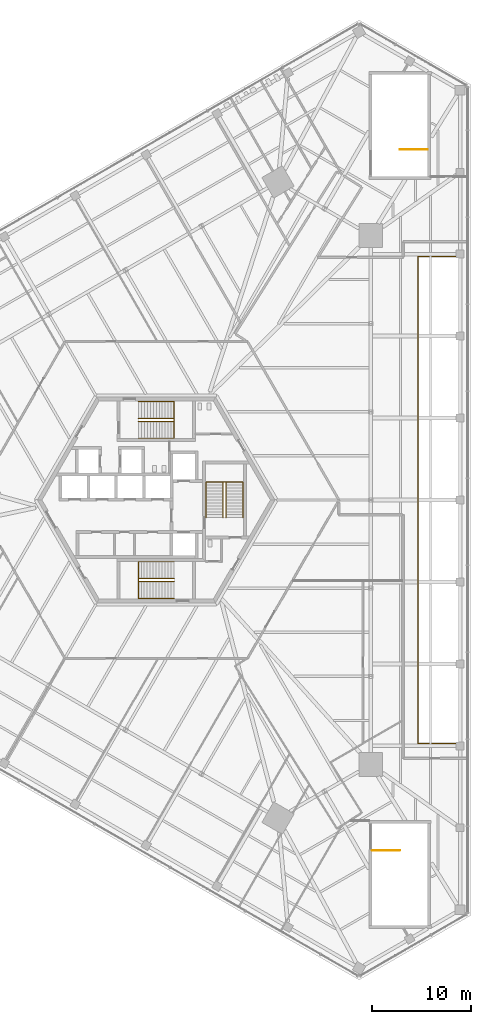
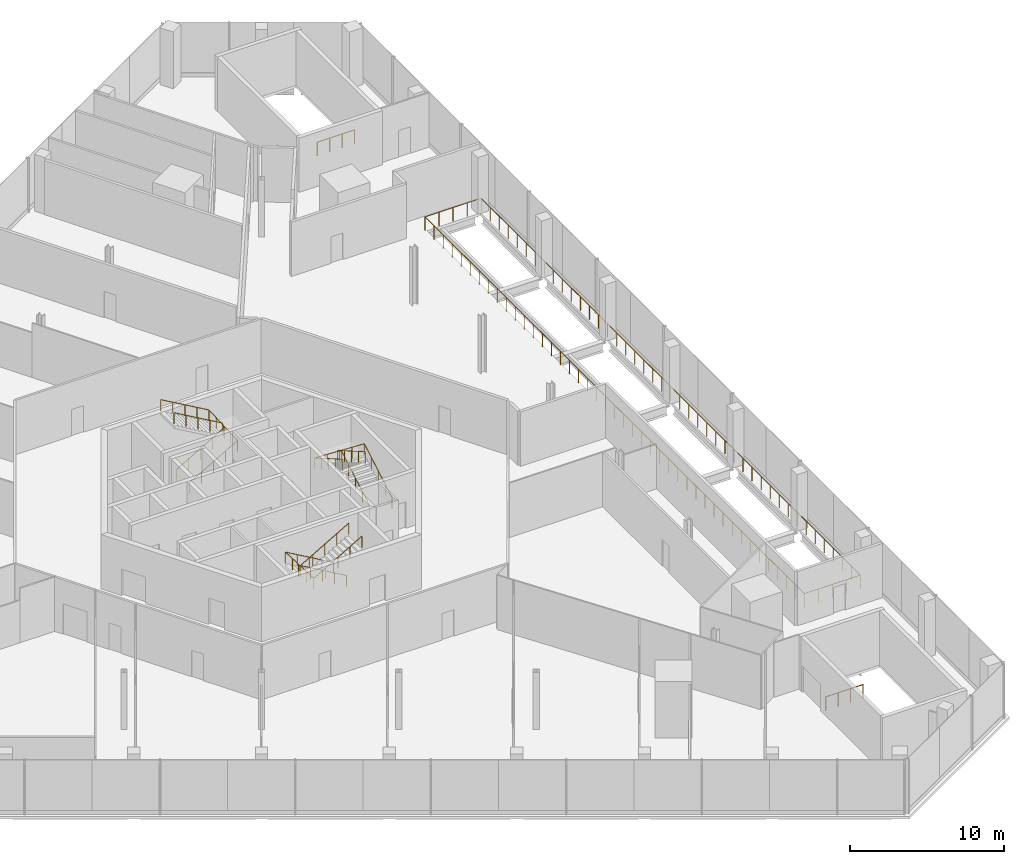
# One storey, part 24 of 25: 9 railings.
"""IFC4 building model written with IfcOpenShell, lengths in metres."""

from ifc_helpers import new_model, si_unit, direction, frame, origin, origin_2d, place, context, subcontext, project, spatial, circle, extrude, source, transform, mapped, material, type_object, element, save


model = new_model("IFC4")

# Units and contexts
model_context = context("Model", 3, precision=1e-05, world=origin(), true_north=direction((0.0, 1.0)))
body_context = subcontext(model_context, "Body", "Model", "MODEL_VIEW")
ifc_project = project(units=[si_unit("LENGTHUNIT", "METRE"), si_unit("AREAUNIT", "SQUARE_METRE"), si_unit("VOLUMEUNIT", "CUBIC_METRE"), si_unit("PLANEANGLEUNIT", "RADIAN"), si_unit("MASSUNIT", "GRAM", prefix="KILO")], contexts=[model_context])

# Site, building, storey
site_placement = place(None, origin())
site = spatial("IfcSite", under=ifc_project, at=site_placement, CompositionType="ELEMENT")
building_placement = place(site_placement, origin())
building = spatial("IfcBuilding", under=site, at=building_placement, Name="Triune Harvest Tower", CompositionType="ELEMENT")
storey_placement = place(building_placement, frame((0.0, 0.0, 11.5)))
storey = spatial("IfcBuildingStorey", under=building, at=storey_placement, Name="L02", CompositionType="ELEMENT", Elevation=11.5)

# Railings
ifc_material_1 = material(Name="Stainless steel AISI 316", Category="steel")
railing_type_1 = type_object("IfcRailingType", Name="Stair well guard 1100", PredefinedType="GUARDRAIL", material=ifc_material_1)
railing_1_placement = place(storey_placement, frame((27.419921875, 35.39990234375, 0.0)))
element("IfcRailing", 1, at=railing_1_placement, inside=storey, type_object=railing_type_1, Name="Podium exit stair north well guard", PredefinedType="GUARDRAIL", context=body_context, shape_type="SweptSolid", body=[
    extrude(circle(Radius=0.02392578125, at=origin_2d()), frame((0.0, 0.0, 1.076171875), z_axis=(-1.0, 0.0, 0.0), x_axis=(0.0, -1.0, 0.0)), (0.0, 0.0, 1.0), 2.7998046875),
    extrude(circle(Radius=0.02099609375, at=origin_2d()), origin(), (0.0, 0.0, 1.0), 1.052001953125),
    extrude(circle(Radius=0.02099609375, at=origin_2d()), frame((-0.933349609375, 0.0, 0.0)), (0.0, 0.0, 1.0), 1.052001953125),
    extrude(circle(Radius=0.02099609375, at=origin_2d()), frame((-1.866455078125, 0.0, 0.0)), (0.0, 0.0, 1.0), 1.052001953125),
    extrude(circle(Radius=0.02099609375, at=origin_2d()), frame((-2.7998046875, 0.0, 0.0)), (0.0, 0.0, 1.0), 1.052001953125),
])
railing_2_placement = place(storey_placement, frame((21.820068359375, -35.39990234375, 0.0)))
element("IfcRailing", 2, at=railing_2_placement, inside=storey, type_object=railing_type_1, Name="Podium exit stair south well guard", PredefinedType="GUARDRAIL", context=body_context, shape_type="SweptSolid", body=[
    extrude(circle(Radius=0.02392578125, at=origin_2d()), frame((0.0, 0.0, 1.076171875), z_axis=(1.0, 0.0, 0.0), x_axis=(0.0, 1.0, 0.0)), (0.0, 0.0, 1.0), 2.800048828125),
    extrude(circle(Radius=0.02099609375, at=origin_2d()), origin(), (0.0, 0.0, 1.0), 1.052001953125),
    extrude(circle(Radius=0.02099609375, at=origin_2d()), frame((0.933349609375, 0.0, 0.0)), (0.0, 0.0, 1.0), 1.052001953125),
    extrude(circle(Radius=0.02099609375, at=origin_2d()), frame((1.86669921875, 0.0, 0.0)), (0.0, 0.0, 1.0), 1.052001953125),
    extrude(circle(Radius=0.02099609375, at=origin_2d()), frame((2.800048828125, 0.0, 0.0)), (0.0, 0.0, 1.0), 1.052001953125),
])
ifc_material_2 = material(Name="Stainless steel AISI 316", Category="steel")
railing_type_2 = type_object("IfcRailingType", Name="Stair handrail", PredefinedType="HANDRAIL", material=ifc_material_2)
shared_shape_1 = source(origin(), body_context, "Body", "SweptSolid", [
    extrude(circle(Radius=0.02392578125, at=origin_2d()), frame((0.0, 0.0, 0.8759765625), z_axis=(0.866193409371, 0.0, 0.499708892819), x_axis=(0.0, 1.0, 0.0)), (0.0, 0.0, 1.0), 4.15625),
    extrude(circle(Radius=0.02392578125, at=origin_2d()), frame((3.60009765625, 0.0, 2.95263671875), z_axis=(0.0, 0.99890745732, 0.046732127169), x_axis=(-1.0, 0.0, 0.0)), (0.0, 0.0, 1.0), 3.7041015625),
    extrude(circle(Radius=0.02392578125, at=origin_2d()), frame((3.60009765625, 3.699951171875, 3.1259765625), z_axis=(-0.866193409371, 0.0, 0.499708892819), x_axis=(0.0, -1.0, 0.0)), (0.0, 0.0, 1.0), 4.15625),
    extrude(circle(Radius=0.02099609375, at=origin_2d()), origin(), (0.0, 0.0, 1.0), 0.851806640625),
    extrude(circle(Radius=0.02099609375, at=origin_2d()), frame((0.89990234375, 0.0, 0.519287109375)), (0.0, 0.0, 1.0), 0.851806640625),
    extrude(circle(Radius=0.02099609375, at=origin_2d()), frame((1.800048828125, 0.0, 1.03857421875)), (0.0, 0.0, 1.0), 0.851806640625),
    extrude(circle(Radius=0.02099609375, at=origin_2d()), frame((2.7001953125, 0.0, 1.5576171875)), (0.0, 0.0, 1.0), 0.851806640625),
    extrude(circle(Radius=0.02099609375, at=origin_2d()), frame((3.60009765625, 0.0, 2.076904296875)), (0.0, 0.0, 1.0), 0.851806640625),
    extrude(circle(Radius=0.02099609375, at=origin_2d()), frame((3.60009765625, 0.925048828125, 2.1201171875)), (0.0, 0.0, 1.0), 0.851806640625),
    extrude(circle(Radius=0.02099609375, at=origin_2d()), frame((3.60009765625, 1.85009765625, 2.16357421875)), (0.0, 0.0, 1.0), 0.851806640625),
    extrude(circle(Radius=0.02099609375, at=origin_2d()), frame((3.60009765625, 2.77490234375, 2.206787109375)), (0.0, 0.0, 1.0), 0.851806640625),
    extrude(circle(Radius=0.02099609375, at=origin_2d()), frame((3.60009765625, 3.699951171875, 2.25)), (0.0, 0.0, 1.0), 0.851806640625),
    extrude(circle(Radius=0.02099609375, at=origin_2d()), frame((2.7001953125, 3.699951171875, 2.769287109375)), (0.0, 0.0, 1.0), 0.851806640625),
    extrude(circle(Radius=0.02099609375, at=origin_2d()), frame((1.800048828125, 3.699951171875, 3.28857421875)), (0.0, 0.0, 1.0), 0.851806640625),
    extrude(circle(Radius=0.02099609375, at=origin_2d()), frame((0.89990234375, 3.699951171875, 3.8076171875)), (0.0, 0.0, 1.0), 0.851806640625),
    extrude(circle(Radius=0.02099609375, at=origin_2d()), frame((0.0, 3.699951171875, 4.326904296875)), (0.0, 0.0, 1.0), 0.851806640625),
])
railing_3_placement = place(storey_placement, frame((-1.7900390625, 6.239990234375, 0.173095703125)))
element("IfcRailing", 3, at=railing_3_placement, inside=storey, type_object=railing_type_2, Name="Exit stair north wall handrail", PredefinedType="HANDRAIL", context=body_context, shape_type="MappedRepresentation", body=[
    mapped(shared_shape_1, transform((0.0, 0.0, 0.0), scale=1.0)),
])
shared_shape_2 = source(origin(), body_context, "Body", "SweptSolid", [
    extrude(circle(Radius=0.02392578125, at=origin_2d()), frame((0.0, 0.0, 0.8759765625), z_axis=(0.866193409371, 0.0, 0.499708892819), x_axis=(0.0, 1.0, 0.0)), (0.0, 0.0, 1.0), 4.15625),
    extrude(circle(Radius=0.02392578125, at=origin_2d()), frame((3.60009765625, 0.0, 2.95263671875), z_axis=(0.0, 0.866197319414, 0.499702115105), x_axis=(-1.0, 0.0, 0.0)), (0.0, 0.0, 1.0), 0.346435546875),
    extrude(circle(Radius=0.02392578125, at=origin_2d()), frame((3.60009765625, 0.300048828125, 3.1259765625), z_axis=(-0.866193409371, 0.0, 0.499708892819), x_axis=(0.0, -1.0, 0.0)), (0.0, 0.0, 1.0), 4.15625),
    extrude(circle(Radius=0.02099609375, at=origin_2d()), origin(), (0.0, 0.0, 1.0), 0.851806640625),
    extrude(circle(Radius=0.02099609375, at=origin_2d()), frame((0.89990234375, 0.0, 0.519287109375)), (0.0, 0.0, 1.0), 0.851806640625),
    extrude(circle(Radius=0.02099609375, at=origin_2d()), frame((1.800048828125, 0.0, 1.03857421875)), (0.0, 0.0, 1.0), 0.851806640625),
    extrude(circle(Radius=0.02099609375, at=origin_2d()), frame((2.7001953125, 0.0, 1.5576171875)), (0.0, 0.0, 1.0), 0.851806640625),
    extrude(circle(Radius=0.02099609375, at=origin_2d()), frame((3.60009765625, 0.0, 2.076904296875)), (0.0, 0.0, 1.0), 0.851806640625),
    extrude(circle(Radius=0.02099609375, at=origin_2d()), frame((3.60009765625, 0.300048828125, 2.25)), (0.0, 0.0, 1.0), 0.851806640625),
    extrude(circle(Radius=0.02099609375, at=origin_2d()), frame((2.7001953125, 0.300048828125, 2.769287109375)), (0.0, 0.0, 1.0), 0.851806640625),
    extrude(circle(Radius=0.02099609375, at=origin_2d()), frame((1.800048828125, 0.300048828125, 3.28857421875)), (0.0, 0.0, 1.0), 0.851806640625),
    extrude(circle(Radius=0.02099609375, at=origin_2d()), frame((0.89990234375, 0.300048828125, 3.8076171875)), (0.0, 0.0, 1.0), 0.851806640625),
    extrude(circle(Radius=0.02099609375, at=origin_2d()), frame((0.0, 0.300048828125, 4.326904296875)), (0.0, 0.0, 1.0), 0.851806640625),
])
railing_4_placement = place(storey_placement, frame((-1.7900390625, 7.93994140625, 0.173095703125)))
element("IfcRailing", 4, at=railing_4_placement, inside=storey, type_object=railing_type_2, Name="Exit stair north centre handrail", PredefinedType="HANDRAIL", context=body_context, shape_type="MappedRepresentation", body=[
    mapped(shared_shape_2, transform((0.0, 0.0, 0.0), scale=1.0)),
])
shared_shape_3 = source(origin(), body_context, "Body", "SweptSolid", [
    extrude(circle(Radius=0.02392578125, at=origin_2d()), frame((0.0, 0.0, 0.8759765625), z_axis=(-0.866193409371, 0.0, 0.499708892819), x_axis=(0.0, -1.0, 0.0)), (0.0, 0.0, 1.0), 4.15625),
    extrude(circle(Radius=0.02392578125, at=origin_2d()), frame((-3.60009765625, 0.0, 2.95263671875), z_axis=(0.0, -0.99890745732, 0.046732127169), x_axis=(1.0, 0.0, 0.0)), (0.0, 0.0, 1.0), 3.7041015625),
    extrude(circle(Radius=0.02392578125, at=origin_2d()), frame((-3.60009765625, -3.699951171875, 3.1259765625), z_axis=(0.866193409371, 0.0, 0.499708892819), x_axis=(0.0, 1.0, 0.0)), (0.0, 0.0, 1.0), 4.15625),
    extrude(circle(Radius=0.02099609375, at=origin_2d()), origin(), (0.0, 0.0, 1.0), 0.851806640625),
    extrude(circle(Radius=0.02099609375, at=origin_2d()), frame((-0.89990234375, 0.0, 0.519287109375)), (0.0, 0.0, 1.0), 0.851806640625),
    extrude(circle(Radius=0.02099609375, at=origin_2d()), frame((-1.800048828125, 0.0, 1.03857421875)), (0.0, 0.0, 1.0), 0.851806640625),
    extrude(circle(Radius=0.02099609375, at=origin_2d()), frame((-2.7001953125, 0.0, 1.5576171875)), (0.0, 0.0, 1.0), 0.851806640625),
    extrude(circle(Radius=0.02099609375, at=origin_2d()), frame((-3.60009765625, 0.0, 2.076904296875)), (0.0, 0.0, 1.0), 0.851806640625),
    extrude(circle(Radius=0.02099609375, at=origin_2d()), frame((-3.60009765625, -0.925048828125, 2.1201171875)), (0.0, 0.0, 1.0), 0.851806640625),
    extrude(circle(Radius=0.02099609375, at=origin_2d()), frame((-3.60009765625, -1.85009765625, 2.16357421875)), (0.0, 0.0, 1.0), 0.851806640625),
    extrude(circle(Radius=0.02099609375, at=origin_2d()), frame((-3.60009765625, -2.77490234375, 2.206787109375)), (0.0, 0.0, 1.0), 0.851806640625),
    extrude(circle(Radius=0.02099609375, at=origin_2d()), frame((-3.60009765625, -3.699951171875, 2.25)), (0.0, 0.0, 1.0), 0.851806640625),
    extrude(circle(Radius=0.02099609375, at=origin_2d()), frame((-2.7001953125, -3.699951171875, 2.769287109375)), (0.0, 0.0, 1.0), 0.851806640625),
    extrude(circle(Radius=0.02099609375, at=origin_2d()), frame((-1.800048828125, -3.699951171875, 3.28857421875)), (0.0, 0.0, 1.0), 0.851806640625),
    extrude(circle(Radius=0.02099609375, at=origin_2d()), frame((-0.89990234375, -3.699951171875, 3.8076171875)), (0.0, 0.0, 1.0), 0.851806640625),
    extrude(circle(Radius=0.02099609375, at=origin_2d()), frame((0.0, -3.699951171875, 4.326904296875)), (0.0, 0.0, 1.0), 0.851806640625),
])
railing_5_placement = place(storey_placement, frame((1.7900390625, -6.239990234375, 0.173095703125)))
element("IfcRailing", 5, at=railing_5_placement, inside=storey, type_object=railing_type_2, Name="Exit stair south wall handrail", PredefinedType="HANDRAIL", context=body_context, shape_type="MappedRepresentation", body=[
    mapped(shared_shape_3, transform((0.0, 0.0, 0.0), scale=1.0)),
])
shared_shape_4 = source(origin(), body_context, "Body", "SweptSolid", [
    extrude(circle(Radius=0.02392578125, at=origin_2d()), frame((0.0, 0.0, 0.8759765625), z_axis=(-0.866193409371, 0.0, 0.499708892819), x_axis=(0.0, -1.0, 0.0)), (0.0, 0.0, 1.0), 4.15625),
    extrude(circle(Radius=0.02392578125, at=origin_2d()), frame((-3.60009765625, 0.0, 2.95263671875), z_axis=(0.0, -0.866197319414, 0.499702115105), x_axis=(1.0, 0.0, 0.0)), (0.0, 0.0, 1.0), 0.346435546875),
    extrude(circle(Radius=0.02392578125, at=origin_2d()), frame((-3.60009765625, -0.300048828125, 3.1259765625), z_axis=(0.866193409371, 0.0, 0.499708892819), x_axis=(0.0, 1.0, 0.0)), (0.0, 0.0, 1.0), 4.15625),
    extrude(circle(Radius=0.02099609375, at=origin_2d()), origin(), (0.0, 0.0, 1.0), 0.851806640625),
    extrude(circle(Radius=0.02099609375, at=origin_2d()), frame((-0.89990234375, 0.0, 0.519287109375)), (0.0, 0.0, 1.0), 0.851806640625),
    extrude(circle(Radius=0.02099609375, at=origin_2d()), frame((-1.800048828125, 0.0, 1.03857421875)), (0.0, 0.0, 1.0), 0.851806640625),
    extrude(circle(Radius=0.02099609375, at=origin_2d()), frame((-2.7001953125, 0.0, 1.5576171875)), (0.0, 0.0, 1.0), 0.851806640625),
    extrude(circle(Radius=0.02099609375, at=origin_2d()), frame((-3.60009765625, 0.0, 2.076904296875)), (0.0, 0.0, 1.0), 0.851806640625),
    extrude(circle(Radius=0.02099609375, at=origin_2d()), frame((-3.60009765625, -0.300048828125, 2.25)), (0.0, 0.0, 1.0), 0.851806640625),
    extrude(circle(Radius=0.02099609375, at=origin_2d()), frame((-2.7001953125, -0.300048828125, 2.769287109375)), (0.0, 0.0, 1.0), 0.851806640625),
    extrude(circle(Radius=0.02099609375, at=origin_2d()), frame((-1.800048828125, -0.300048828125, 3.28857421875)), (0.0, 0.0, 1.0), 0.851806640625),
    extrude(circle(Radius=0.02099609375, at=origin_2d()), frame((-0.89990234375, -0.300048828125, 3.8076171875)), (0.0, 0.0, 1.0), 0.851806640625),
    extrude(circle(Radius=0.02099609375, at=origin_2d()), frame((0.0, -0.300048828125, 4.326904296875)), (0.0, 0.0, 1.0), 0.851806640625),
])
railing_6_placement = place(storey_placement, frame((1.7900390625, -7.93994140625, 0.173095703125)))
element("IfcRailing", 6, at=railing_6_placement, inside=storey, type_object=railing_type_2, Name="Exit stair south centre handrail", PredefinedType="HANDRAIL", context=body_context, shape_type="MappedRepresentation", body=[
    mapped(shared_shape_4, transform((0.0, 0.0, 0.0), scale=1.0)),
])
shared_shape_5 = source(origin(), body_context, "Body", "SweptSolid", [
    extrude(circle(Radius=0.02392578125, at=origin_2d()), frame((0.0, 0.0, 0.8759765625), z_axis=(0.0, 0.866193409371, 0.499708892819), x_axis=(-1.0, 0.0, 0.0)), (0.0, 0.0, 1.0), 4.15625),
    extrude(circle(Radius=0.02392578125, at=origin_2d()), frame((0.0, 3.60009765625, 2.95263671875), z_axis=(-0.99890745732, 0.0, 0.046732127169), x_axis=(0.0, -1.0, 0.0)), (0.0, 0.0, 1.0), 3.7041015625),
    extrude(circle(Radius=0.02392578125, at=origin_2d()), frame((-3.699951171875, 3.60009765625, 3.1259765625), z_axis=(0.0, -0.866193409371, 0.499708892819), x_axis=(1.0, 0.0, 0.0)), (0.0, 0.0, 1.0), 4.15625),
    extrude(circle(Radius=0.02099609375, at=origin_2d()), origin(), (0.0, 0.0, 1.0), 0.851806640625),
    extrude(circle(Radius=0.02099609375, at=origin_2d()), frame((0.0, 0.89990234375, 0.519287109375)), (0.0, 0.0, 1.0), 0.851806640625),
    extrude(circle(Radius=0.02099609375, at=origin_2d()), frame((0.0, 1.800048828125, 1.03857421875)), (0.0, 0.0, 1.0), 0.851806640625),
    extrude(circle(Radius=0.02099609375, at=origin_2d()), frame((0.0, 2.7001953125, 1.5576171875)), (0.0, 0.0, 1.0), 0.851806640625),
    extrude(circle(Radius=0.02099609375, at=origin_2d()), frame((0.0, 3.60009765625, 2.076904296875)), (0.0, 0.0, 1.0), 0.851806640625),
    extrude(circle(Radius=0.02099609375, at=origin_2d()), frame((-0.925048828125, 3.60009765625, 2.1201171875)), (0.0, 0.0, 1.0), 0.851806640625),
    extrude(circle(Radius=0.02099609375, at=origin_2d()), frame((-1.85009765625, 3.60009765625, 2.16357421875)), (0.0, 0.0, 1.0), 0.851806640625),
    extrude(circle(Radius=0.02099609375, at=origin_2d()), frame((-2.77490234375, 3.60009765625, 2.206787109375)), (0.0, 0.0, 1.0), 0.851806640625),
    extrude(circle(Radius=0.02099609375, at=origin_2d()), frame((-3.699951171875, 3.60009765625, 2.25)), (0.0, 0.0, 1.0), 0.851806640625),
    extrude(circle(Radius=0.02099609375, at=origin_2d()), frame((-3.699951171875, 2.7001953125, 2.769287109375)), (0.0, 0.0, 1.0), 0.851806640625),
    extrude(circle(Radius=0.02099609375, at=origin_2d()), frame((-3.699951171875, 1.800048828125, 3.28857421875)), (0.0, 0.0, 1.0), 0.851806640625),
    extrude(circle(Radius=0.02099609375, at=origin_2d()), frame((-3.699951171875, 0.89990234375, 3.8076171875)), (0.0, 0.0, 1.0), 0.851806640625),
    extrude(circle(Radius=0.02099609375, at=origin_2d()), frame((-3.699951171875, 0.0, 4.326904296875)), (0.0, 0.0, 1.0), 0.851806640625),
])
railing_7_placement = place(storey_placement, frame((8.75, -1.7900390625, 0.173095703125)))
element("IfcRailing", 7, at=railing_7_placement, inside=storey, type_object=railing_type_2, Name="Exit stair east wall handrail", PredefinedType="HANDRAIL", context=body_context, shape_type="MappedRepresentation", body=[
    mapped(shared_shape_5, transform((0.0, 0.0, 0.0), scale=1.0)),
])
shared_shape_6 = source(origin(), body_context, "Body", "SweptSolid", [
    extrude(circle(Radius=0.02392578125, at=origin_2d()), frame((0.0, 0.0, 0.8759765625), z_axis=(0.0, 0.866193409371, 0.499708892819), x_axis=(-1.0, 0.0, 0.0)), (0.0, 0.0, 1.0), 4.15625),
    extrude(circle(Radius=0.02392578125, at=origin_2d()), frame((0.0, 3.60009765625, 2.95263671875), z_axis=(-0.866197319414, 0.0, 0.499702115105), x_axis=(0.0, -1.0, 0.0)), (0.0, 0.0, 1.0), 0.346435546875),
    extrude(circle(Radius=0.02392578125, at=origin_2d()), frame((-0.300048828125, 3.60009765625, 3.1259765625), z_axis=(0.0, -0.866193409371, 0.499708892819), x_axis=(1.0, 0.0, 0.0)), (0.0, 0.0, 1.0), 4.15625),
    extrude(circle(Radius=0.02099609375, at=origin_2d()), origin(), (0.0, 0.0, 1.0), 0.851806640625),
    extrude(circle(Radius=0.02099609375, at=origin_2d()), frame((0.0, 0.89990234375, 0.519287109375)), (0.0, 0.0, 1.0), 0.851806640625),
    extrude(circle(Radius=0.02099609375, at=origin_2d()), frame((0.0, 1.800048828125, 1.03857421875)), (0.0, 0.0, 1.0), 0.851806640625),
    extrude(circle(Radius=0.02099609375, at=origin_2d()), frame((0.0, 2.7001953125, 1.5576171875)), (0.0, 0.0, 1.0), 0.851806640625),
    extrude(circle(Radius=0.02099609375, at=origin_2d()), frame((0.0, 3.60009765625, 2.076904296875)), (0.0, 0.0, 1.0), 0.851806640625),
    extrude(circle(Radius=0.02099609375, at=origin_2d()), frame((-0.300048828125, 3.60009765625, 2.25)), (0.0, 0.0, 1.0), 0.851806640625),
    extrude(circle(Radius=0.02099609375, at=origin_2d()), frame((-0.300048828125, 2.7001953125, 2.769287109375)), (0.0, 0.0, 1.0), 0.851806640625),
    extrude(circle(Radius=0.02099609375, at=origin_2d()), frame((-0.300048828125, 1.800048828125, 3.28857421875)), (0.0, 0.0, 1.0), 0.851806640625),
    extrude(circle(Radius=0.02099609375, at=origin_2d()), frame((-0.300048828125, 0.89990234375, 3.8076171875)), (0.0, 0.0, 1.0), 0.851806640625),
    extrude(circle(Radius=0.02099609375, at=origin_2d()), frame((-0.300048828125, 0.0, 4.326904296875)), (0.0, 0.0, 1.0), 0.851806640625),
])
railing_8_placement = place(storey_placement, frame((7.050048828125, -1.7900390625, 0.173095703125)))
element("IfcRailing", 8, at=railing_8_placement, inside=storey, type_object=railing_type_2, Name="Exit stair east centre handrail", PredefinedType="HANDRAIL", context=body_context, shape_type="MappedRepresentation", body=[
    mapped(shared_shape_6, transform((0.0, 0.0, 0.0), scale=1.0)),
])
ifc_material_3 = material(Name="Steel ASTM A992 Gr 50", Category="steel")
railing_type_3 = type_object("IfcRailingType", Name="GD-5 atrium guard 1100", PredefinedType="GUARDRAIL", material=ifc_material_3)
shared_shape_7 = source(origin(), body_context, "Body", "SweptSolid", [
    extrude(circle(Radius=0.02392578125, at=origin_2d()), frame((0.0, 0.0, 1.076171875), z_axis=(0.0, 1.0, 0.0), x_axis=(-1.0, 0.0, 0.0)), (0.0, 0.0, 1.0), 49.2001953125),
    extrude(circle(Radius=0.02392578125, at=origin_2d()), frame((0.0, 49.2001953125, 1.076171875), z_axis=(1.0, 0.0, 0.0), x_axis=(0.0, 1.0, 0.0)), (0.0, 0.0, 1.0), 4.199951171875),
    extrude(circle(Radius=0.02392578125, at=origin_2d()), frame((4.199951171875, 49.2001953125, 1.076171875), z_axis=(0.0, -1.0, 0.0), x_axis=(1.0, 0.0, 0.0)), (0.0, 0.0, 1.0), 49.2001953125),
    extrude(circle(Radius=0.02392578125, at=origin_2d()), frame((4.199951171875, 0.0, 1.076171875), z_axis=(-1.0, 0.0, 0.0), x_axis=(0.0, -1.0, 0.0)), (0.0, 0.0, 1.0), 4.199951171875),
    extrude(circle(Radius=0.02099609375, at=origin_2d()), origin(), (0.0, 0.0, 1.0), 1.052001953125),
    extrude(circle(Radius=0.02099609375, at=origin_2d()), frame((0.0, 1.17138671875, 0.0)), (0.0, 0.0, 1.0), 1.052001953125),
    extrude(circle(Radius=0.02099609375, at=origin_2d()), frame((0.0, 2.3427734375, 0.0)), (0.0, 0.0, 1.0), 1.052001953125),
    extrude(circle(Radius=0.02099609375, at=origin_2d()), frame((0.0, 3.514404296875, 0.0)), (0.0, 0.0, 1.0), 1.052001953125),
    extrude(circle(Radius=0.02099609375, at=origin_2d()), frame((0.0, 4.685791015625, 0.0)), (0.0, 0.0, 1.0), 1.052001953125),
    extrude(circle(Radius=0.02099609375, at=origin_2d()), frame((0.0, 5.857177734375, 0.0)), (0.0, 0.0, 1.0), 1.052001953125),
    extrude(circle(Radius=0.02099609375, at=origin_2d()), frame((0.0, 7.028564453125, 0.0)), (0.0, 0.0, 1.0), 1.052001953125),
    extrude(circle(Radius=0.02099609375, at=origin_2d()), frame((0.0, 8.199951171875, 0.0)), (0.0, 0.0, 1.0), 1.052001953125),
    extrude(circle(Radius=0.02099609375, at=origin_2d()), frame((0.0, 9.37158203125, 0.0)), (0.0, 0.0, 1.0), 1.052001953125),
    extrude(circle(Radius=0.02099609375, at=origin_2d()), frame((0.0, 10.54296875, 0.0)), (0.0, 0.0, 1.0), 1.052001953125),
    extrude(circle(Radius=0.02099609375, at=origin_2d()), frame((0.0, 11.71435546875, 0.0)), (0.0, 0.0, 1.0), 1.052001953125),
    extrude(circle(Radius=0.02099609375, at=origin_2d()), frame((0.0, 12.8857421875, 0.0)), (0.0, 0.0, 1.0), 1.052001953125),
    extrude(circle(Radius=0.02099609375, at=origin_2d()), frame((0.0, 14.05712890625, 0.0)), (0.0, 0.0, 1.0), 1.052001953125),
    extrude(circle(Radius=0.02099609375, at=origin_2d()), frame((0.0, 15.228515625, 0.0)), (0.0, 0.0, 1.0), 1.052001953125),
    extrude(circle(Radius=0.02099609375, at=origin_2d()), frame((0.0, 16.400146484375, 0.0)), (0.0, 0.0, 1.0), 1.052001953125),
    extrude(circle(Radius=0.02099609375, at=origin_2d()), frame((0.0, 17.571533203125, 0.0)), (0.0, 0.0, 1.0), 1.052001953125),
    extrude(circle(Radius=0.02099609375, at=origin_2d()), frame((0.0, 18.742919921875, 0.0)), (0.0, 0.0, 1.0), 1.052001953125),
    extrude(circle(Radius=0.02099609375, at=origin_2d()), frame((0.0, 19.914306640625, 0.0)), (0.0, 0.0, 1.0), 1.052001953125),
    extrude(circle(Radius=0.02099609375, at=origin_2d()), frame((0.0, 21.085693359375, 0.0)), (0.0, 0.0, 1.0), 1.052001953125),
    extrude(circle(Radius=0.02099609375, at=origin_2d()), frame((0.0, 22.25732421875, 0.0)), (0.0, 0.0, 1.0), 1.052001953125),
    extrude(circle(Radius=0.02099609375, at=origin_2d()), frame((0.0, 23.4287109375, 0.0)), (0.0, 0.0, 1.0), 1.052001953125),
    extrude(circle(Radius=0.02099609375, at=origin_2d()), frame((0.0, 24.60009765625, 0.0)), (0.0, 0.0, 1.0), 1.052001953125),
    extrude(circle(Radius=0.02099609375, at=origin_2d()), frame((0.0, 25.771484375, 0.0)), (0.0, 0.0, 1.0), 1.052001953125),
    extrude(circle(Radius=0.02099609375, at=origin_2d()), frame((0.0, 26.94287109375, 0.0)), (0.0, 0.0, 1.0), 1.052001953125),
    extrude(circle(Radius=0.02099609375, at=origin_2d()), frame((0.0, 28.114501953125, 0.0)), (0.0, 0.0, 1.0), 1.052001953125),
    extrude(circle(Radius=0.02099609375, at=origin_2d()), frame((0.0, 29.285888671875, 0.0)), (0.0, 0.0, 1.0), 1.052001953125),
    extrude(circle(Radius=0.02099609375, at=origin_2d()), frame((0.0, 30.457275390625, 0.0)), (0.0, 0.0, 1.0), 1.052001953125),
    extrude(circle(Radius=0.02099609375, at=origin_2d()), frame((0.0, 31.628662109375, 0.0)), (0.0, 0.0, 1.0), 1.052001953125),
    extrude(circle(Radius=0.02099609375, at=origin_2d()), frame((0.0, 32.800048828125, 0.0)), (0.0, 0.0, 1.0), 1.052001953125),
    extrude(circle(Radius=0.02099609375, at=origin_2d()), frame((0.0, 33.9716796875, 0.0)), (0.0, 0.0, 1.0), 1.052001953125),
    extrude(circle(Radius=0.02099609375, at=origin_2d()), frame((0.0, 35.14306640625, 0.0)), (0.0, 0.0, 1.0), 1.052001953125),
    extrude(circle(Radius=0.02099609375, at=origin_2d()), frame((0.0, 36.314453125, 0.0)), (0.0, 0.0, 1.0), 1.052001953125),
    extrude(circle(Radius=0.02099609375, at=origin_2d()), frame((0.0, 37.48583984375, 0.0)), (0.0, 0.0, 1.0), 1.052001953125),
    extrude(circle(Radius=0.02099609375, at=origin_2d()), frame((0.0, 38.6572265625, 0.0)), (0.0, 0.0, 1.0), 1.052001953125),
    extrude(circle(Radius=0.02099609375, at=origin_2d()), frame((0.0, 39.82861328125, 0.0)), (0.0, 0.0, 1.0), 1.052001953125),
    extrude(circle(Radius=0.02099609375, at=origin_2d()), frame((0.0, 41.000244140625, 0.0)), (0.0, 0.0, 1.0), 1.052001953125),
    extrude(circle(Radius=0.02099609375, at=origin_2d()), frame((0.0, 42.171630859375, 0.0)), (0.0, 0.0, 1.0), 1.052001953125),
    extrude(circle(Radius=0.02099609375, at=origin_2d()), frame((0.0, 43.343017578125, 0.0)), (0.0, 0.0, 1.0), 1.052001953125),
    extrude(circle(Radius=0.02099609375, at=origin_2d()), frame((0.0, 44.514404296875, 0.0)), (0.0, 0.0, 1.0), 1.052001953125),
    extrude(circle(Radius=0.02099609375, at=origin_2d()), frame((0.0, 45.685791015625, 0.0)), (0.0, 0.0, 1.0), 1.052001953125),
    extrude(circle(Radius=0.02099609375, at=origin_2d()), frame((0.0, 46.857421875, 0.0)), (0.0, 0.0, 1.0), 1.052001953125),
    extrude(circle(Radius=0.02099609375, at=origin_2d()), frame((0.0, 48.02880859375, 0.0)), (0.0, 0.0, 1.0), 1.052001953125),
    extrude(circle(Radius=0.02099609375, at=origin_2d()), frame((0.0, 49.2001953125, 0.0)), (0.0, 0.0, 1.0), 1.052001953125),
    extrude(circle(Radius=0.02099609375, at=origin_2d()), frame((1.050048828125, 49.2001953125, 0.0)), (0.0, 0.0, 1.0), 1.052001953125),
    extrude(circle(Radius=0.02099609375, at=origin_2d()), frame((2.10009765625, 49.2001953125, 0.0)), (0.0, 0.0, 1.0), 1.052001953125),
    extrude(circle(Radius=0.02099609375, at=origin_2d()), frame((3.14990234375, 49.2001953125, 0.0)), (0.0, 0.0, 1.0), 1.052001953125),
    extrude(circle(Radius=0.02099609375, at=origin_2d()), frame((4.199951171875, 49.2001953125, 0.0)), (0.0, 0.0, 1.0), 1.052001953125),
    extrude(circle(Radius=0.02099609375, at=origin_2d()), frame((4.199951171875, 48.02880859375, 0.0)), (0.0, 0.0, 1.0), 1.052001953125),
    extrude(circle(Radius=0.02099609375, at=origin_2d()), frame((4.199951171875, 46.857421875, 0.0)), (0.0, 0.0, 1.0), 1.052001953125),
    extrude(circle(Radius=0.02099609375, at=origin_2d()), frame((4.199951171875, 45.685791015625, 0.0)), (0.0, 0.0, 1.0), 1.052001953125),
    extrude(circle(Radius=0.02099609375, at=origin_2d()), frame((4.199951171875, 44.514404296875, 0.0)), (0.0, 0.0, 1.0), 1.052001953125),
    extrude(circle(Radius=0.02099609375, at=origin_2d()), frame((4.199951171875, 43.343017578125, 0.0)), (0.0, 0.0, 1.0), 1.052001953125),
    extrude(circle(Radius=0.02099609375, at=origin_2d()), frame((4.199951171875, 42.171630859375, 0.0)), (0.0, 0.0, 1.0), 1.052001953125),
    extrude(circle(Radius=0.02099609375, at=origin_2d()), frame((4.199951171875, 41.000244140625, 0.0)), (0.0, 0.0, 1.0), 1.052001953125),
    extrude(circle(Radius=0.02099609375, at=origin_2d()), frame((4.199951171875, 39.82861328125, 0.0)), (0.0, 0.0, 1.0), 1.052001953125),
    extrude(circle(Radius=0.02099609375, at=origin_2d()), frame((4.199951171875, 38.6572265625, 0.0)), (0.0, 0.0, 1.0), 1.052001953125),
    extrude(circle(Radius=0.02099609375, at=origin_2d()), frame((4.199951171875, 37.48583984375, 0.0)), (0.0, 0.0, 1.0), 1.052001953125),
    extrude(circle(Radius=0.02099609375, at=origin_2d()), frame((4.199951171875, 36.314453125, 0.0)), (0.0, 0.0, 1.0), 1.052001953125),
    extrude(circle(Radius=0.02099609375, at=origin_2d()), frame((4.199951171875, 35.14306640625, 0.0)), (0.0, 0.0, 1.0), 1.052001953125),
    extrude(circle(Radius=0.02099609375, at=origin_2d()), frame((4.199951171875, 33.9716796875, 0.0)), (0.0, 0.0, 1.0), 1.052001953125),
    extrude(circle(Radius=0.02099609375, at=origin_2d()), frame((4.199951171875, 32.800048828125, 0.0)), (0.0, 0.0, 1.0), 1.052001953125),
    extrude(circle(Radius=0.02099609375, at=origin_2d()), frame((4.199951171875, 31.628662109375, 0.0)), (0.0, 0.0, 1.0), 1.052001953125),
    extrude(circle(Radius=0.02099609375, at=origin_2d()), frame((4.199951171875, 30.457275390625, 0.0)), (0.0, 0.0, 1.0), 1.052001953125),
    extrude(circle(Radius=0.02099609375, at=origin_2d()), frame((4.199951171875, 29.285888671875, 0.0)), (0.0, 0.0, 1.0), 1.052001953125),
    extrude(circle(Radius=0.02099609375, at=origin_2d()), frame((4.199951171875, 28.114501953125, 0.0)), (0.0, 0.0, 1.0), 1.052001953125),
    extrude(circle(Radius=0.02099609375, at=origin_2d()), frame((4.199951171875, 26.94287109375, 0.0)), (0.0, 0.0, 1.0), 1.052001953125),
    extrude(circle(Radius=0.02099609375, at=origin_2d()), frame((4.199951171875, 25.771484375, 0.0)), (0.0, 0.0, 1.0), 1.052001953125),
    extrude(circle(Radius=0.02099609375, at=origin_2d()), frame((4.199951171875, 24.60009765625, 0.0)), (0.0, 0.0, 1.0), 1.052001953125),
    extrude(circle(Radius=0.02099609375, at=origin_2d()), frame((4.199951171875, 23.4287109375, 0.0)), (0.0, 0.0, 1.0), 1.052001953125),
    extrude(circle(Radius=0.02099609375, at=origin_2d()), frame((4.199951171875, 22.25732421875, 0.0)), (0.0, 0.0, 1.0), 1.052001953125),
    extrude(circle(Radius=0.02099609375, at=origin_2d()), frame((4.199951171875, 21.085693359375, 0.0)), (0.0, 0.0, 1.0), 1.052001953125),
    extrude(circle(Radius=0.02099609375, at=origin_2d()), frame((4.199951171875, 19.914306640625, 0.0)), (0.0, 0.0, 1.0), 1.052001953125),
    extrude(circle(Radius=0.02099609375, at=origin_2d()), frame((4.199951171875, 18.742919921875, 0.0)), (0.0, 0.0, 1.0), 1.052001953125),
    extrude(circle(Radius=0.02099609375, at=origin_2d()), frame((4.199951171875, 17.571533203125, 0.0)), (0.0, 0.0, 1.0), 1.052001953125),
    extrude(circle(Radius=0.02099609375, at=origin_2d()), frame((4.199951171875, 16.400146484375, 0.0)), (0.0, 0.0, 1.0), 1.052001953125),
    extrude(circle(Radius=0.02099609375, at=origin_2d()), frame((4.199951171875, 15.228515625, 0.0)), (0.0, 0.0, 1.0), 1.052001953125),
    extrude(circle(Radius=0.02099609375, at=origin_2d()), frame((4.199951171875, 14.05712890625, 0.0)), (0.0, 0.0, 1.0), 1.052001953125),
    extrude(circle(Radius=0.02099609375, at=origin_2d()), frame((4.199951171875, 12.8857421875, 0.0)), (0.0, 0.0, 1.0), 1.052001953125),
    extrude(circle(Radius=0.02099609375, at=origin_2d()), frame((4.199951171875, 11.71435546875, 0.0)), (0.0, 0.0, 1.0), 1.052001953125),
    extrude(circle(Radius=0.02099609375, at=origin_2d()), frame((4.199951171875, 10.54296875, 0.0)), (0.0, 0.0, 1.0), 1.052001953125),
    extrude(circle(Radius=0.02099609375, at=origin_2d()), frame((4.199951171875, 9.37158203125, 0.0)), (0.0, 0.0, 1.0), 1.052001953125),
    extrude(circle(Radius=0.02099609375, at=origin_2d()), frame((4.199951171875, 8.199951171875, 0.0)), (0.0, 0.0, 1.0), 1.052001953125),
    extrude(circle(Radius=0.02099609375, at=origin_2d()), frame((4.199951171875, 7.028564453125, 0.0)), (0.0, 0.0, 1.0), 1.052001953125),
    extrude(circle(Radius=0.02099609375, at=origin_2d()), frame((4.199951171875, 5.857177734375, 0.0)), (0.0, 0.0, 1.0), 1.052001953125),
    extrude(circle(Radius=0.02099609375, at=origin_2d()), frame((4.199951171875, 4.685791015625, 0.0)), (0.0, 0.0, 1.0), 1.052001953125),
    extrude(circle(Radius=0.02099609375, at=origin_2d()), frame((4.199951171875, 3.514404296875, 0.0)), (0.0, 0.0, 1.0), 1.052001953125),
    extrude(circle(Radius=0.02099609375, at=origin_2d()), frame((4.199951171875, 2.3427734375, 0.0)), (0.0, 0.0, 1.0), 1.052001953125),
    extrude(circle(Radius=0.02099609375, at=origin_2d()), frame((4.199951171875, 1.17138671875, 0.0)), (0.0, 0.0, 1.0), 1.052001953125),
    extrude(circle(Radius=0.02099609375, at=origin_2d()), frame((4.199951171875, 0.0, 0.0)), (0.0, 0.0, 1.0), 1.052001953125),
    extrude(circle(Radius=0.02099609375, at=origin_2d()), frame((3.14990234375, 0.0, 0.0)), (0.0, 0.0, 1.0), 1.052001953125),
    extrude(circle(Radius=0.02099609375, at=origin_2d()), frame((2.10009765625, 0.0, 0.0)), (0.0, 0.0, 1.0), 1.052001953125),
    extrude(circle(Radius=0.02099609375, at=origin_2d()), frame((1.050048828125, 0.0, 0.0)), (0.0, 0.0, 1.0), 1.052001953125),
])
railing_9_placement = place(storey_placement, frame((26.454345703125, -24.60009765625, 0.0)))
element("IfcRailing", 9, at=railing_9_placement, inside=storey, type_object=railing_type_3, Name="Atrium guard L02.1", PredefinedType="GUARDRAIL", context=body_context, shape_type="MappedRepresentation", body=[
    mapped(shared_shape_7, transform((0.0, 0.0, 0.0), scale=1.0)),
])

save(model, "model.ifc")
